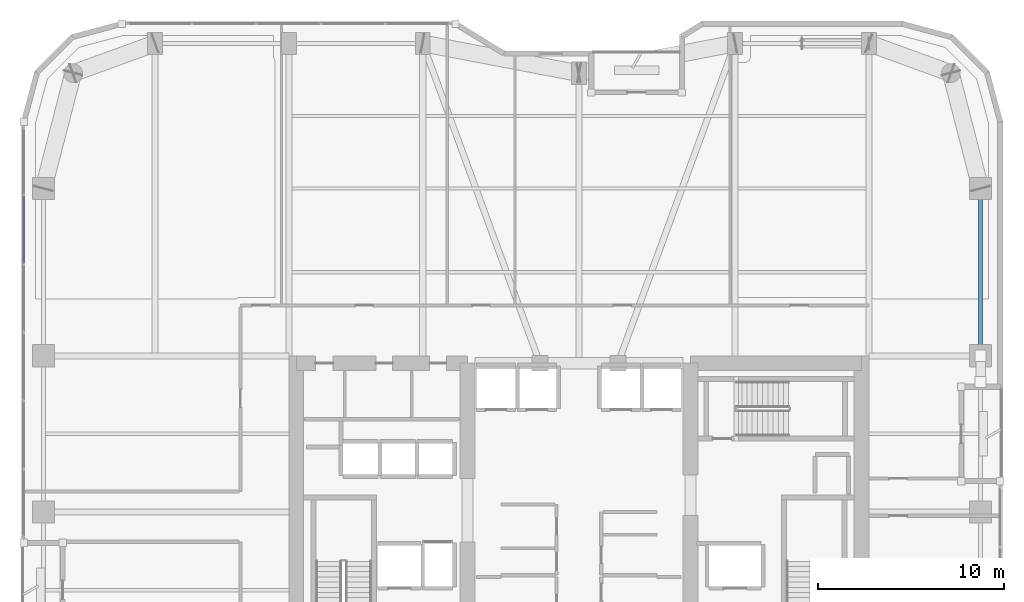
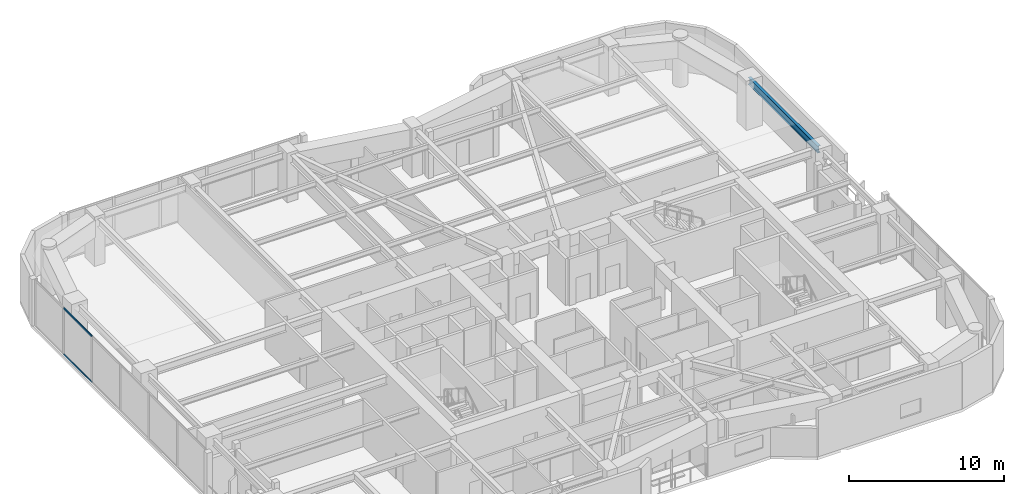
# One storey, part 12 of 30: 2 members, 1 beam, 1 element without a shape of its own.
"""IFC4 building model written with IfcOpenShell, lengths in metres."""

from ifc_helpers import new_model, si_unit, direction, frame, origin, origin_2d, place, context, subcontext, project, spatial, hollow_rectangle, i_section, extrude, material, layer, layer_set, material_profile, profile_set, type_object, element, aggregate, save


model = new_model("IFC4")

# Units and contexts
model_context = context("Model", 3, precision=1e-05, world=origin(), true_north=direction((0.0, 1.0)))
body_context = subcontext(model_context, "Body", "Model", "MODEL_VIEW")
ifc_project = project(units=[si_unit("LENGTHUNIT", "METRE"), si_unit("AREAUNIT", "SQUARE_METRE"), si_unit("VOLUMEUNIT", "CUBIC_METRE"), si_unit("PLANEANGLEUNIT", "RADIAN"), si_unit("MASSUNIT", "GRAM", prefix="KILO")], contexts=[model_context])

# Site, building, storey
site_placement = place(None, origin())
site = spatial("IfcSite", under=ifc_project, at=site_placement, CompositionType="ELEMENT")
building_placement = place(site_placement, origin())
building = spatial("IfcBuilding", under=site, at=building_placement, Name="Kiyonajd Concourse Tower", CompositionType="ELEMENT")
storey_placement = place(building_placement, frame((0.0, 0.0, 162.300048828125)))
storey = spatial("IfcBuildingStorey", under=building, at=storey_placement, Name="L41", CompositionType="ELEMENT", Elevation=162.300048828125)

# Beam
ifc_material_1 = material(Name="Steel ASTM A992 Grade 50", Category="steel")
ifc_material_profile_1 = material_profile(ifc_material_1, i_section(OverallWidth=0.214111328125, OverallDepth=0.549072265625, WebThickness=0.0146484375, FlangeThickness=0.023681640625, at=origin_2d()), Name="W530X138")
ifc_profile_set_1 = profile_set([ifc_material_profile_1], Name="Steel ASTM A992 Grade 50")
beam_type = type_object("IfcBeamType", Name="BM-SPAN-530A", PredefinedType="SPANDREL", material=ifc_profile_set_1)
beam_placement = place(storey_placement, frame((69.60009765625, 44.39990234375, 3.405517578125), z_axis=(0.0, 1.0, 0.0), x_axis=(-1.0, 0.0, 0.0)))
element("IfcBeam", 1, at=beam_placement, inside=storey, type_object=beam_type, Name="L41 Perimeter Bundled Tube Spandrel", PredefinedType="SPANDREL", context=body_context, shape_type="SweptSolid", body=[
    extrude(i_section(OverallWidth=0.214111328125, OverallDepth=0.549072265625, WebThickness=0.0146484375, FlangeThickness=0.023681640625, at=origin_2d()), origin(), (0.0, 0.0, 1.0), 9.0),
])

# Curtain wall, members
ifc_material_2 = material(Name="Thermally Broken Anodised Aluminium", Category="aluminium")
ifc_layer = layer(ifc_material_2, 0.179931640625)
ifc_layer_set = layer_set([ifc_layer], Name="Thermally Broken Anodised Aluminium")
curtain_wall_type = type_object("IfcCurtainWallType", Name="CW-SYS-03", PredefinedType="NOTDEFINED", material=ifc_layer_set)
curtain_wall_placement = place(storey_placement, origin())
curtain_wall = element("IfcCurtainWall", 2, at=curtain_wall_placement, inside=storey, type_object=curtain_wall_type, Name="L41 Unitised Curtain Wall CW3", PredefinedType="NOTDEFINED")
ifc_material_profile_2 = material_profile(ifc_material_2, hollow_rectangle(XDim=0.06494140625, YDim=0.139892578125, WallThickness=0.00390625, at=origin_2d()), Name="TRAN-65x140")
ifc_profile_set_2 = profile_set([ifc_material_profile_2], Name="Thermally Broken Anodised Aluminium")
member_type = type_object("IfcMemberType", Name="MB-CW-TRAN1", PredefinedType="USERDEFINED", material=ifc_profile_set_2)
member_1_placement = place(storey_placement, frame((18.139892578125, 49.3701171875, 0.032470703125), z_axis=(0.0, 1.0, 0.0), x_axis=(-1.0, 0.0, 0.0)))
member_1 = element("IfcMember", 3, at=member_1_placement, type_object=member_type, Name="CW3 transom 5.1", ObjectType="TRANSOM", PredefinedType="USERDEFINED", context=body_context, shape_type="SweptSolid", body=[
    extrude(hollow_rectangle(XDim=0.06494140625, YDim=0.139892578125, WallThickness=0.00390625, at=origin_2d()), origin(), (0.0, 0.0, 1.0), 3.612060546875),
])
member_2_placement = place(storey_placement, frame((18.139892578125, 49.3701171875, 3.6474609375), z_axis=(0.0, 1.0, 0.0), x_axis=(-1.0, 0.0, 0.0)))
member_2 = element("IfcMember", 4, at=member_2_placement, type_object=member_type, Name="CW3 transom 5.2", ObjectType="TRANSOM", PredefinedType="USERDEFINED", context=body_context, shape_type="SweptSolid", body=[
    extrude(hollow_rectangle(XDim=0.06494140625, YDim=0.139892578125, WallThickness=0.00390625, at=origin_2d()), origin(), (0.0, 0.0, 1.0), 3.612060546875),
])
aggregate(curtain_wall, [member_1, member_2])

save(model, "model.ifc")
